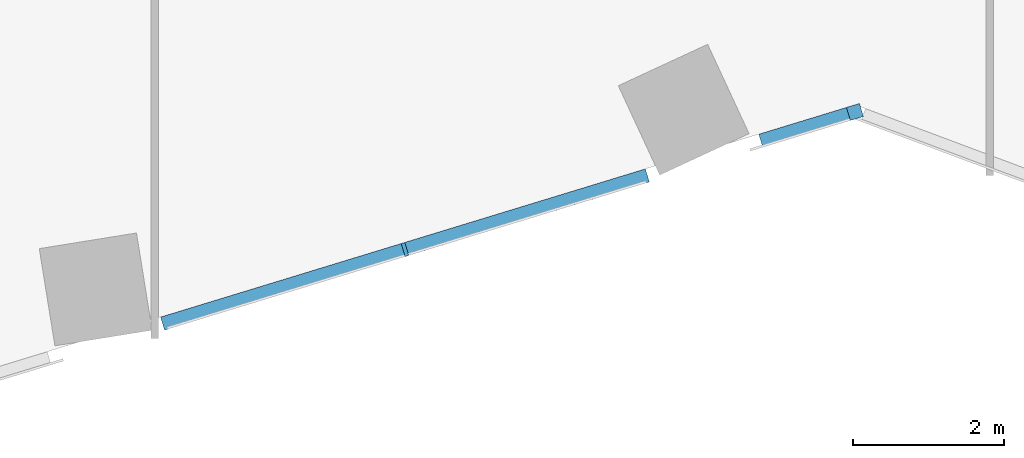
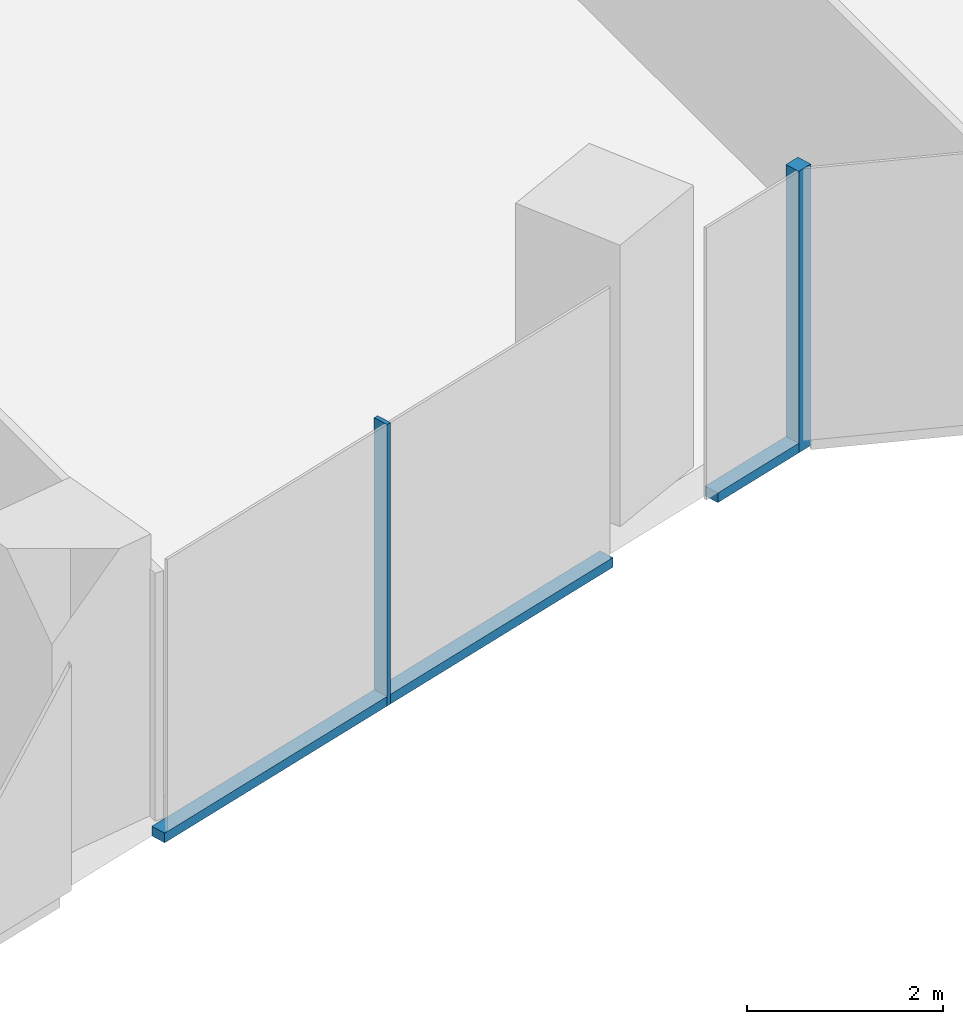
# One storey, part 6 of 31: 4 members, 1 element without a shape of its own.
"""IFC4 building model written with IfcOpenShell, lengths in metres."""

from ifc_helpers import new_model, si_unit, direction, frame, origin, origin_2d, place, context, subcontext, project, spatial, rectangle, extrude, material, material_profile, profile_set, type_object, element, aggregate, save


model = new_model("IFC4")

# Units and contexts
model_context = context("Model", 3, precision=1e-05, world=origin(), true_north=direction((0.0, 1.0)))
body_context = subcontext(model_context, "Body", "Model", "MODEL_VIEW")
ifc_project = project(units=[si_unit("LENGTHUNIT", "METRE"), si_unit("AREAUNIT", "SQUARE_METRE"), si_unit("VOLUMEUNIT", "CUBIC_METRE"), si_unit("PLANEANGLEUNIT", "RADIAN"), si_unit("MASSUNIT", "GRAM", prefix="KILO")], contexts=[model_context])

# Site, building, storey
site_placement = place(None, origin())
site = spatial("IfcSite", under=ifc_project, at=site_placement, CompositionType="ELEMENT")
building_placement = place(site_placement, origin())
building = spatial("IfcBuilding", under=site, at=building_placement, Name="Orlundy Tower", CompositionType="ELEMENT")
storey_placement = place(building_placement, frame((0.0, 0.0, 94.699951171875)))
storey = spatial("IfcBuildingStorey", under=building, at=storey_placement, Name="L23", CompositionType="ELEMENT", Elevation=94.699951171875)

# Curtain wall, members
ifc_material_1 = material(Name="Aluminium bronze anodised", Category="aluminium")
curtain_wall_type = type_object("IfcCurtainWallType", Name="CW1 wall", PredefinedType="NOTDEFINED", material=ifc_material_1)
curtain_wall_placement = place(storey_placement, origin())
curtain_wall = element("IfcCurtainWall", 1, at=curtain_wall_placement, inside=storey, type_object=curtain_wall_type, Name="CW1 run 017", PredefinedType="NOTDEFINED")
ifc_material_2 = material(Name="Aluminium bronze anodised", Category="aluminium")
ifc_material_profile_1 = material_profile(ifc_material_2, rectangle(XDim=0.179931640625, YDim=0.179931640625, at=origin_2d()), Name="CW1 corner post 180x180")
ifc_profile_set_1 = profile_set([ifc_material_profile_1], Name="Aluminium bronze anodised")
member_type_1 = type_object("IfcMemberType", Name="CW1 corner post 180x180", PredefinedType="MULLION", material=ifc_profile_set_1)
member_1_placement = place(storey_placement, frame((14.739013671875, -26.958984375, -0.39990234375), z_axis=(0.0, 0.0, 1.0), x_axis=(0.292318233228, -0.956321102205, 0.0)))
member_1 = element("IfcMember", 2, at=member_1_placement, type_object=member_type_1, Name="CW1 mullion 49", PredefinedType="MULLION", context=body_context, shape_type="SweptSolid", body=[
    extrude(rectangle(XDim=0.179931640625, YDim=0.179931640625, at=origin_2d()), origin(), (0.0, 0.0, 1.0), 3.5),
])
ifc_material_3 = material(Name="Aluminium bronze anodised", Category="aluminium")
ifc_material_profile_2 = material_profile(ifc_material_3, rectangle(XDim=0.179931640625, YDim=0.050048828125, at=origin_2d()), Name="CW1 mullion 50x180")
ifc_profile_set_2 = profile_set([ifc_material_profile_2], Name="Aluminium bronze anodised")
member_type_2 = type_object("IfcMemberType", Name="CW1 mullion 50x180", PredefinedType="MULLION", material=ifc_profile_set_2)
member_2_placement = place(storey_placement, frame((8.7978515625, -28.775146484375, -0.39990234375), z_axis=(0.0, 0.0, 1.0), x_axis=(0.292318233228, -0.956321102205, 0.0)))
member_2 = element("IfcMember", 3, at=member_2_placement, type_object=member_type_2, Name="CW1 mullion 50", PredefinedType="MULLION", context=body_context, shape_type="SweptSolid", body=[
    extrude(rectangle(XDim=0.179931640625, YDim=0.050048828125, at=origin_2d()), origin(), (0.0, 0.0, 1.0), 3.5),
])
ifc_material_4 = material(Name="Aluminium bronze anodised", Category="aluminium")
ifc_material_profile_3 = material_profile(ifc_material_4, rectangle(XDim=0.179931640625, YDim=0.1201171875, at=origin_2d()), Name="CW1 transom 180x120")
ifc_profile_set_3 = profile_set([ifc_material_profile_3], Name="Aluminium bronze anodised")
member_type_3 = type_object("IfcMemberType", Name="CW1 transom 180x120", PredefinedType="USERDEFINED", material=ifc_profile_set_3)
member_3_placement = place(storey_placement, frame((14.653076171875, -26.9853515625, -0.33984375), z_axis=(-0.956335900786, -0.292269815183, 0.0), x_axis=(0.292269815183, -0.956335900786, 0.0)))
member_3 = element("IfcMember", 4, at=member_3_placement, type_object=member_type_3, Name="CW1 transom", ObjectType="TRANSOM", PredefinedType="USERDEFINED", context=body_context, shape_type="SweptSolid", body=[
    extrude(rectangle(XDim=0.179931640625, YDim=0.1201171875, at=origin_2d()), origin(), (0.0, 0.0, 1.0), 1.20947265625),
])
member_4_placement = place(storey_placement, frame((11.998291015625, -27.796875, -0.33984375), z_axis=(-0.95632778436, -0.292296371619, 0.0), x_axis=(0.292296371619, -0.95632778436, 0.0)))
member_4 = element("IfcMember", 5, at=member_4_placement, type_object=member_type_3, Name="CW1 transom", ObjectType="TRANSOM", PredefinedType="USERDEFINED", context=body_context, shape_type="SweptSolid", body=[
    extrude(rectangle(XDim=0.179931640625, YDim=0.1201171875, at=origin_2d()), origin(), (0.0, 0.0, 1.0), 6.693603515625),
])
aggregate(curtain_wall, [member_1, member_2, member_3, member_4])

save(model, "model.ifc")
